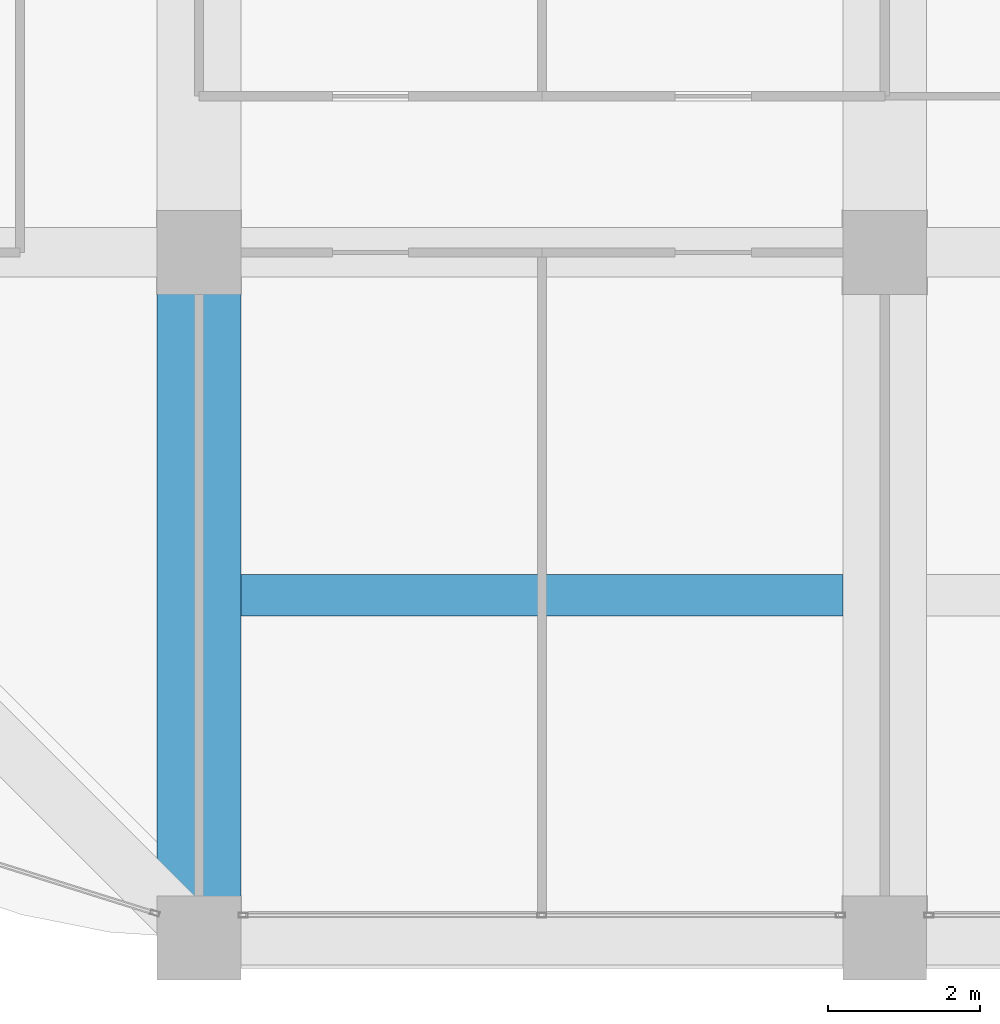
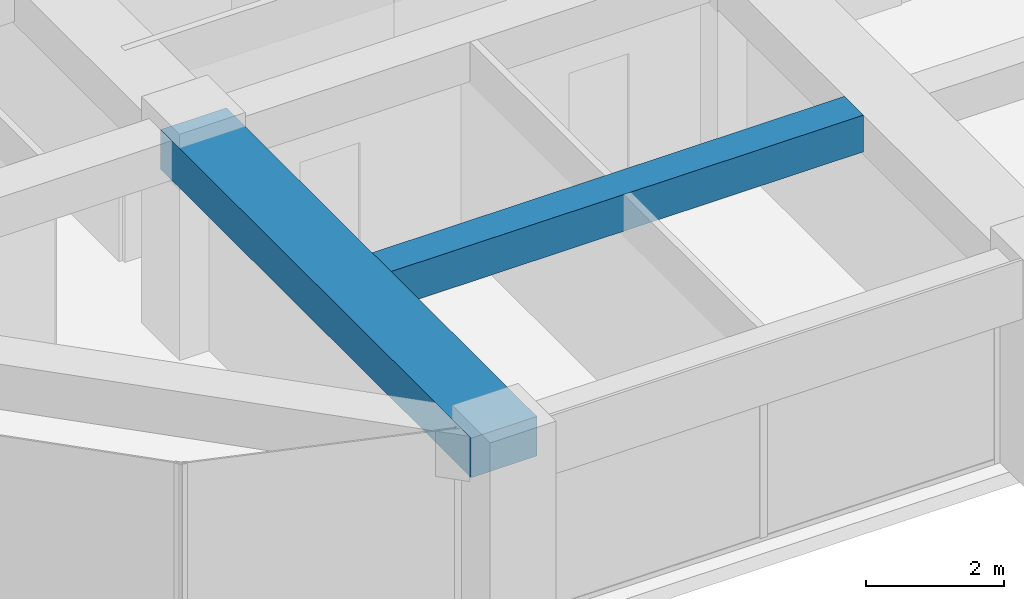
# One storey, part 5 of 45: 2 beams.
"""IFC4 building model written with IfcOpenShell, lengths in metres."""

from ifc_helpers import new_model, si_unit, direction, frame, origin, origin_2d, place, context, subcontext, project, spatial, rectangle, extrude, material, material_profile, profile_set, type_object, element, save


model = new_model("IFC4")

# Units and contexts
model_context = context("Model", 3, precision=1e-05, world=origin(), true_north=direction((0.0, 1.0)))
body_context = subcontext(model_context, "Body", "Model", "MODEL_VIEW")
ifc_project = project(units=[si_unit("LENGTHUNIT", "METRE"), si_unit("AREAUNIT", "SQUARE_METRE"), si_unit("VOLUMEUNIT", "CUBIC_METRE"), si_unit("PLANEANGLEUNIT", "RADIAN"), si_unit("MASSUNIT", "GRAM", prefix="KILO")], contexts=[model_context])

# Site, building, storey
site_placement = place(None, origin())
site = spatial("IfcSite", under=ifc_project, at=site_placement, CompositionType="ELEMENT")
building_placement = place(site_placement, origin())
building = spatial("IfcBuilding", under=site, at=building_placement, Name="Zorevar Civic Tower", CompositionType="ELEMENT")
storey_placement = place(building_placement, frame((0.0, 0.0, 303.39990234375)))
storey = spatial("IfcBuildingStorey", under=building, at=storey_placement, Name="L74", CompositionType="ELEMENT", Elevation=303.39990234375)

# Beams
ifc_material_1 = material(Name="Concrete C50/60", Category="concrete")
ifc_material_profile_1 = material_profile(ifc_material_1, rectangle(XDim=1.10009765625, YDim=0.699951171875, at=origin_2d()), Name="RC 1100x700")
ifc_profile_set_1 = profile_set([ifc_material_profile_1], Name="Concrete C50/60")
beam_type_1 = type_object("IfcBeamType", Name="Beam RC 1100x700", PredefinedType="BEAM", material=ifc_profile_set_1)
beam_1_placement = place(storey_placement, frame((18.0, 0.0, 3.400146484375), z_axis=(0.0, 1.0, 0.0), x_axis=(-1.0, 0.0, 0.0)))
element("IfcBeam", 1, at=beam_1_placement, inside=storey, type_object=beam_type_1, Name="Girder L75", PredefinedType="BEAM", context=body_context, shape_type="SweptSolid", body=[
    extrude(rectangle(XDim=1.10009765625, YDim=0.699951171875, at=origin_2d()), origin(), (0.0, 0.0, 1.0), 9.0),
])
ifc_material_2 = material(Name="Concrete C50/60", Category="concrete")
ifc_material_profile_2 = material_profile(ifc_material_2, rectangle(XDim=0.550048828125, YDim=0.64990234375, at=origin_2d()), Name="RC 550x650")
ifc_profile_set_2 = profile_set([ifc_material_profile_2], Name="Concrete C50/60")
beam_type_2 = type_object("IfcBeamType", Name="Beam RC 550x650", PredefinedType="BEAM", material=ifc_profile_set_2)
beam_2_placement = place(storey_placement, frame((18.550048828125, 4.5, 3.425048828125), z_axis=(1.0, 0.0, 0.0), x_axis=(0.0, 1.0, 0.0)))
element("IfcBeam", 2, at=beam_2_placement, inside=storey, type_object=beam_type_2, Name="Secondary beam L75", PredefinedType="BEAM", context=body_context, shape_type="SweptSolid", body=[
    extrude(rectangle(XDim=0.550048828125, YDim=0.64990234375, at=origin_2d()), origin(), (0.0, 0.0, 1.0), 7.89990234375),
])

save(model, "model.ifc")
